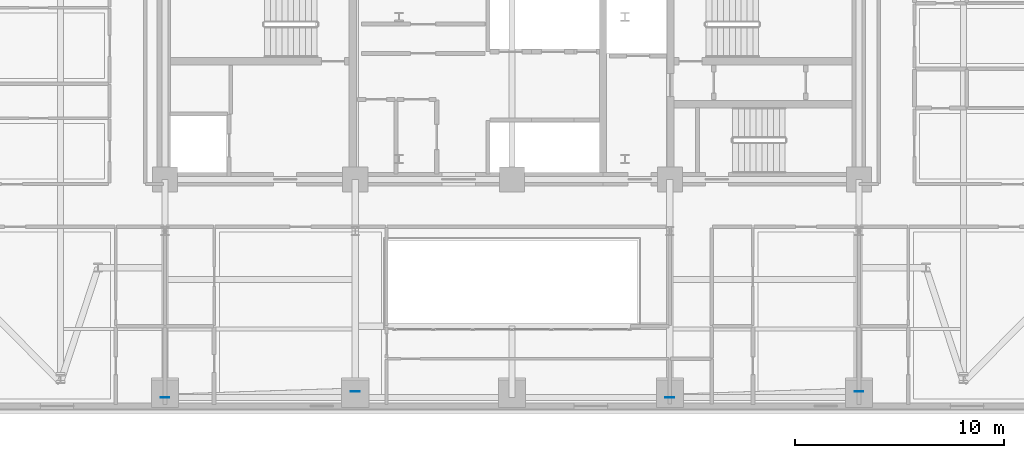
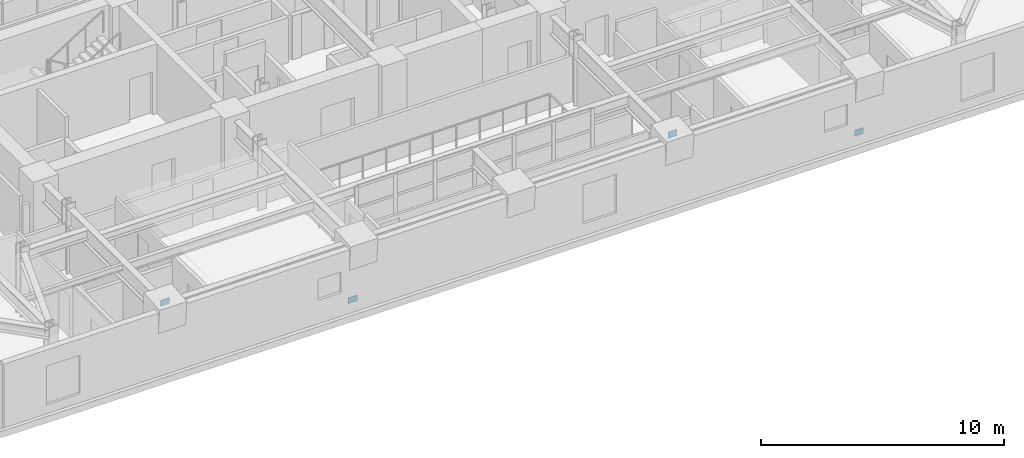
# One storey, part 7 of 16: 4 plates.
"""IFC4 building model written with IfcOpenShell, lengths in metres."""

from ifc_helpers import new_model, si_unit, direction, frame, origin, origin_2d, place, context, subcontext, project, spatial, rectangle, extrude, material, layer, layer_set, type_object, element, save


model = new_model("IFC4")

# Units and contexts
model_context = context("Model", 3, precision=1e-05, world=origin(), true_north=direction((0.0, 1.0)))
body_context = subcontext(model_context, "Body", "Model", "MODEL_VIEW")
ifc_project = project(units=[si_unit("LENGTHUNIT", "METRE"), si_unit("AREAUNIT", "SQUARE_METRE"), si_unit("VOLUMEUNIT", "CUBIC_METRE"), si_unit("PLANEANGLEUNIT", "RADIAN"), si_unit("MASSUNIT", "GRAM", prefix="KILO")], contexts=[model_context])

# Site, building, storey
site_placement = place(None, origin())
site = spatial("IfcSite", under=ifc_project, at=site_placement, CompositionType="ELEMENT")
building_placement = place(site_placement, origin())
building = spatial("IfcBuilding", under=site, at=building_placement, Name="Zarnavel Station Tower", CompositionType="ELEMENT")
storey_placement = place(building_placement, frame((0.0, 0.0, 94.300048828125)))
storey = spatial("IfcBuildingStorey", under=building, at=storey_placement, Name="L25", CompositionType="ELEMENT", Elevation=94.300048828125)

# Plates
ifc_material = material(Name="Steel S460M", Category="steel")
ifc_layer = layer(ifc_material, 0.02490234375)
ifc_layer_set = layer_set([ifc_layer], Name="GP_GUSSET_25")
plate_type = type_object("IfcPlateType", Name="GP_GUSSET_25", PredefinedType="USERDEFINED", material=ifc_layer_set)
for number, where, z_axis, x_axis, name in (
    (1, (21.300048828125, 17.6826171875, -0.14990234375), (0.0, 0.0, 1.0), (1.0, 0.0, 0.0), "L25 Exterior Diagonal Brace End Gusset 1-1"),
    (2, (12.199951171875, 17.388916015625, 3.08984375), (0.0, 0.0, 1.0), (1.0, 0.0, 0.0), "L25 Exterior Diagonal Brace End Gusset 1-2"),
    (3, (45.39990234375, 17.6826171875, -0.14990234375), (0.0, 0.0, 1.0), (1.0, 0.0, 0.0), "L25 Exterior Diagonal Brace End Gusset 2-1"),
    (4, (36.35009765625, 17.388916015625, 3.08984375), (0.0, 0.0, 1.0), (1.0, 0.0, 0.0), "L25 Exterior Diagonal Brace End Gusset 2-2"),
):
    element("IfcPlate", number, at=place(storey_placement, frame(where, z_axis=z_axis, x_axis=x_axis)), inside=storey, type_object=plate_type, Name=name, ObjectType="GUSSET_PLATE", PredefinedType="USERDEFINED", context=body_context, shape_type="SweptSolid", body=[
        extrude(rectangle(XDim=0.419921875, YDim=0.02490234375, at=origin_2d()), origin(), (0.0, 0.0, 1.0), 0.300048828125),
    ])

save(model, "model.ifc")
